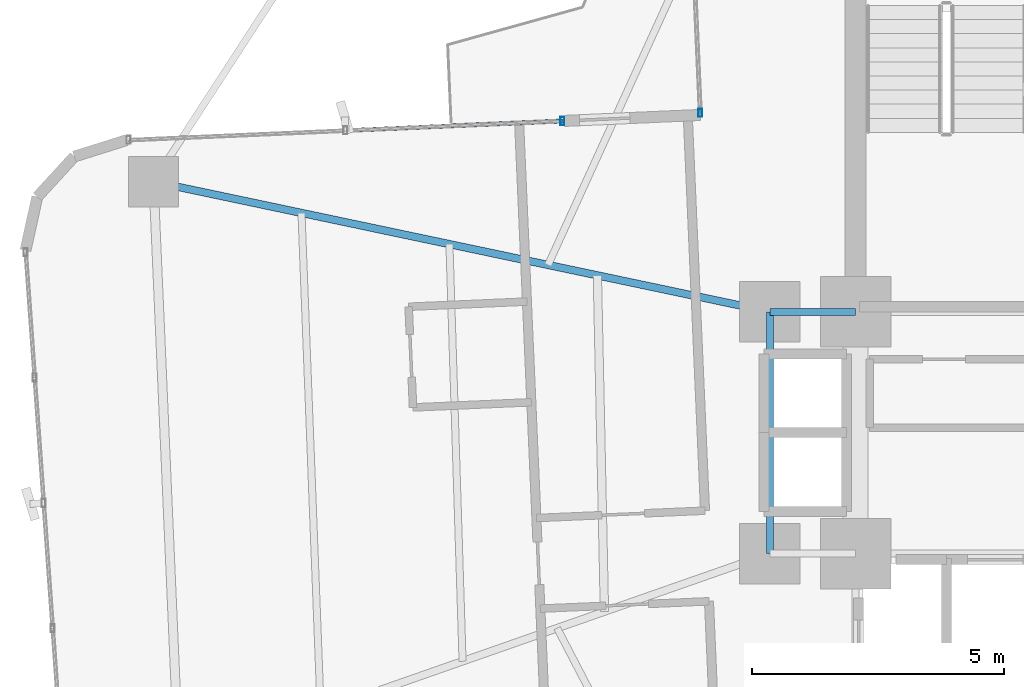
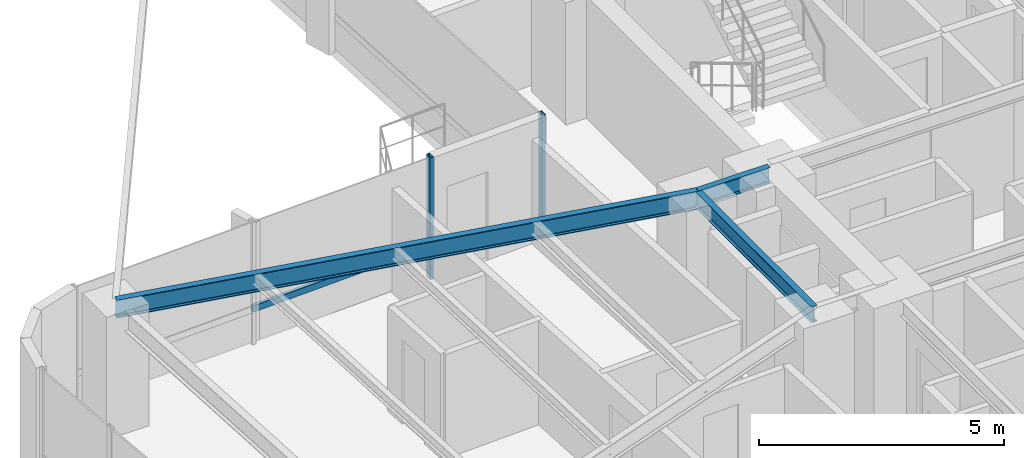
# One storey, part 10 of 27: 3 beams, 3 members, 2 elements without a shape of their own.
"""IFC4 building model written with IfcOpenShell, lengths in metres."""

from ifc_helpers import new_model, si_unit, direction, frame, origin, origin_2d, place, context, subcontext, project, spatial, hollow_rectangle, i_section, extrude, source, transform, mapped, material, material_profile, profile_set, type_object, element, aggregate, save


model = new_model("IFC4")

# Units and contexts
model_context = context("Model", 3, precision=1e-05, world=origin(), true_north=direction((0.0, 1.0)))
body_context = subcontext(model_context, "Body", "Model", "MODEL_VIEW")
ifc_project = project(units=[si_unit("LENGTHUNIT", "METRE"), si_unit("AREAUNIT", "SQUARE_METRE"), si_unit("VOLUMEUNIT", "CUBIC_METRE"), si_unit("PLANEANGLEUNIT", "RADIAN"), si_unit("MASSUNIT", "GRAM", prefix="KILO")], contexts=[model_context])

# Site, building, storey
site_placement = place(None, origin())
site = spatial("IfcSite", under=ifc_project, at=site_placement, CompositionType="ELEMENT")
building_placement = place(site_placement, origin())
building = spatial("IfcBuilding", under=site, at=building_placement, Name="Sahyath Konkavel Grand Hotel", CompositionType="ELEMENT")
storey_placement = place(building_placement, frame((0.0, 0.0, 103.60009765625)))
storey = spatial("IfcBuildingStorey", under=building, at=storey_placement, Name="L28", CompositionType="ELEMENT", Elevation=103.60009765625)

# Beams
ifc_material_1 = material(Name="Steel E350", Category="steel")
ifc_material_profile_1 = material_profile(ifc_material_1, i_section(OverallWidth=0.139892578125, OverallDepth=0.39990234375, WebThickness=0.0087890625, FlangeThickness=0.01611328125, FilletRadius=0.013916015625, at=origin_2d()), Name="ISMB 400")
ifc_profile_set_1 = profile_set([ifc_material_profile_1], Name="Steel E350")
beam_type_1 = type_object("IfcBeamType", Name="BM-ISMB400", PredefinedType="BEAM", material=ifc_profile_set_1)
shared_shape_1 = source(origin(), body_context, "Body", "SweptSolid", [
    extrude(i_section(OverallWidth=0.139892578125, OverallDepth=0.39990234375, WebThickness=0.0087890625, FlangeThickness=0.01611328125, FilletRadius=0.013916015625, at=origin_2d()), origin(), (0.0, 0.0, 1.0), 1.699951171875),
])
beam_1_placement = place(storey_placement, frame((-5.5, 2.39990234375, 2.849853515625), z_axis=(1.0, 0.0, 0.0), x_axis=(0.0, 1.0, 0.0)))
element("IfcBeam", 1, at=beam_1_placement, inside=storey, type_object=beam_type_1, Name="str:bm:L28:HB-NW", PredefinedType="BEAM", context=body_context, shape_type="MappedRepresentation", body=[
    mapped(shared_shape_1, transform((0.0, 0.0, 0.0), scale=1.0)),
])
shared_shape_2 = source(origin(), body_context, "Body", "SweptSolid", [
    extrude(i_section(OverallWidth=0.139892578125, OverallDepth=0.39990234375, WebThickness=0.0087890625, FlangeThickness=0.01611328125, FilletRadius=0.013916015625, at=origin_2d()), origin(), (0.0, 0.0, 1.0), 4.7998046875),
])
beam_2_placement = place(storey_placement, frame((-5.5, -2.39990234375, 2.849853515625), z_axis=(0.0, 1.0, 0.0), x_axis=(-1.0, 0.0, 0.0)))
element("IfcBeam", 2, at=beam_2_placement, inside=storey, type_object=beam_type_1, Name="str:bm:L28:HB-W", PredefinedType="BEAM", context=body_context, shape_type="MappedRepresentation", body=[
    mapped(shared_shape_2, transform((0.0, 0.0, 0.0), scale=1.0)),
])
ifc_material_profile_2 = material_profile(ifc_material_1, i_section(OverallWidth=0.14990234375, OverallDepth=0.449951171875, WebThickness=0.009521484375, FlangeThickness=0.017333984375, FilletRadius=0.014892578125, at=origin_2d()), Name="ISMB 450")
ifc_profile_set_2 = profile_set([ifc_material_profile_2], Name="Steel E350")
beam_type_2 = type_object("IfcBeamType", Name="BM-ISMB450", PredefinedType="BEAM", material=ifc_profile_set_2)
shared_shape_3 = source(origin(), body_context, "Body", "SweptSolid", [
    extrude(i_section(OverallWidth=0.14990234375, OverallDepth=0.449951171875, WebThickness=0.009521484375, FlangeThickness=0.017333984375, FilletRadius=0.014892578125, at=origin_2d()), origin(), (0.0, 0.0, 1.0), 12.50341796875),
])
beam_3_placement = place(storey_placement, frame((-5.5, 2.39990234375, 2.824951171875), z_axis=(-0.978457911392, 0.206446398937, 0.0), x_axis=(-0.206446398937, -0.978457911392, 0.0)))
element("IfcBeam", 3, at=beam_3_placement, inside=storey, type_object=beam_type_2, Name="L28 Cruciform Radial Girder WA", PredefinedType="BEAM", context=body_context, shape_type="MappedRepresentation", body=[
    mapped(shared_shape_3, transform((0.0, 0.0, 0.0), scale=1.0)),
])

# Curtain wall, member
ifc_material_2 = material(Name="Anodised Bronze Aluminium & Low-E Glazing", Category="aluminium")
curtain_wall_type = type_object("IfcCurtainWallType", Name="CW-ZONE2", PredefinedType="NOTDEFINED", material=ifc_material_2)
curtain_wall_1_placement = place(storey_placement, origin())
curtain_wall_1 = element("IfcCurtainWall", 4, at=curtain_wall_1_placement, inside=storey, type_object=curtain_wall_type, Name="L28 Unitised Curtain Wall F16", PredefinedType="NOTDEFINED")
ifc_material_3 = material(Name="Anodised Bronze Aluminium", Category="aluminium")
ifc_material_profile_3 = material_profile(ifc_material_3, hollow_rectangle(XDim=0.080078125, YDim=0.159912109375, WallThickness=0.006103515625, at=origin_2d()), Name="RHS 160x80x6")
ifc_profile_set_3 = profile_set([ifc_material_profile_3], Name="Anodised Bronze Aluminium")
member_type_1 = type_object("IfcMemberType", Name="CW-TRN-160", PredefinedType="USERDEFINED", material=ifc_profile_set_3)
shared_shape_4 = source(origin(), body_context, "Body", "SweptSolid", [
    extrude(hollow_rectangle(XDim=0.080078125, YDim=0.159912109375, WallThickness=0.006103515625, at=origin_2d()), origin(), (0.0, 0.0, 1.0), 4.31005859375),
])
member_1_placement = place(storey_placement, frame((-9.618896484375, 6.186279296875, 0.849853515625), z_axis=(-0.999048340188, -0.043616670746, 0.0), x_axis=(0.043616670746, -0.999048340188, 0.0)))
member_1 = element("IfcMember", 5, at=member_1_placement, type_object=member_type_1, Name="L28 Curtain Wall Transom F16-0-spandrel", ObjectType="TRANSOM", PredefinedType="USERDEFINED", context=body_context, shape_type="MappedRepresentation", body=[
    mapped(shared_shape_4, transform((0.0, 0.0, 0.0), scale=1.0)),
])

curtain_wall_2_placement = place(storey_placement, origin())
curtain_wall_2 = element("IfcCurtainWall", 6, at=curtain_wall_2_placement, inside=storey, type_object=curtain_wall_type, Name="L28 Unitised Curtain Wall F15", PredefinedType="NOTDEFINED")
ifc_material_profile_4 = material_profile(ifc_material_3, hollow_rectangle(XDim=0.080078125, YDim=0.159912109375, WallThickness=0.006103515625, at=origin_2d()), Name="RHS 160x80x6")
ifc_profile_set_4 = profile_set([ifc_material_profile_4], Name="Anodised Bronze Aluminium")
member_type_2 = type_object("IfcMemberType", Name="CW-MUL-160", PredefinedType="MULLION", material=ifc_profile_set_4)
shared_shape_5 = source(origin(), body_context, "Body", "SweptSolid", [
    extrude(hollow_rectangle(XDim=0.080078125, YDim=0.159912109375, WallThickness=0.006103515625, at=origin_2d()), origin(), (0.0, 0.0, 1.0), 3.0498046875),
])
member_2_placement = place(storey_placement, frame((-6.88330078125, 6.345703125, 0.0), z_axis=(0.0, 0.0, 1.0), x_axis=(1.0, 0.0, 0.0)))
member_2 = element("IfcMember", 7, at=member_2_placement, type_object=member_type_2, Name="L28 Curtain Wall Mullion F15-2", PredefinedType="MULLION", context=body_context, shape_type="MappedRepresentation", body=[
    mapped(shared_shape_5, transform((0.0, 0.0, 0.0), scale=1.0)),
])
aggregate(curtain_wall_2, [member_2])

# Member
member_3_placement = place(storey_placement, frame((-9.618896484375, 6.186279296875, 0.0), z_axis=(0.0, 0.0, 1.0), x_axis=(1.0, 0.0, 0.0)))
member_3 = element("IfcMember", 8, at=member_3_placement, type_object=member_type_2, Name="L28 Curtain Wall Mullion F16-0", PredefinedType="MULLION", context=body_context, shape_type="MappedRepresentation", body=[
    mapped(shared_shape_5, transform((0.0, 0.0, 0.0), scale=1.0)),
])

aggregate(curtain_wall_1, [member_3, member_1])

save(model, "model.ifc")
